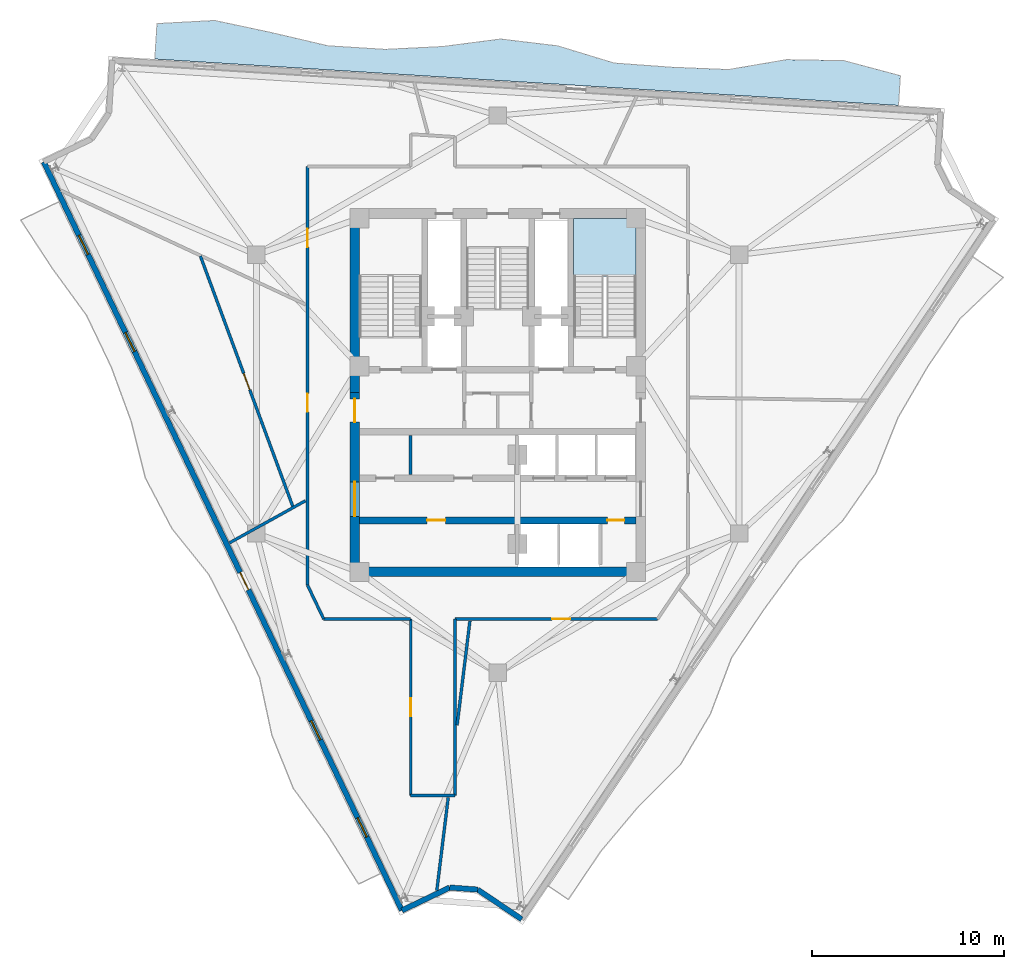
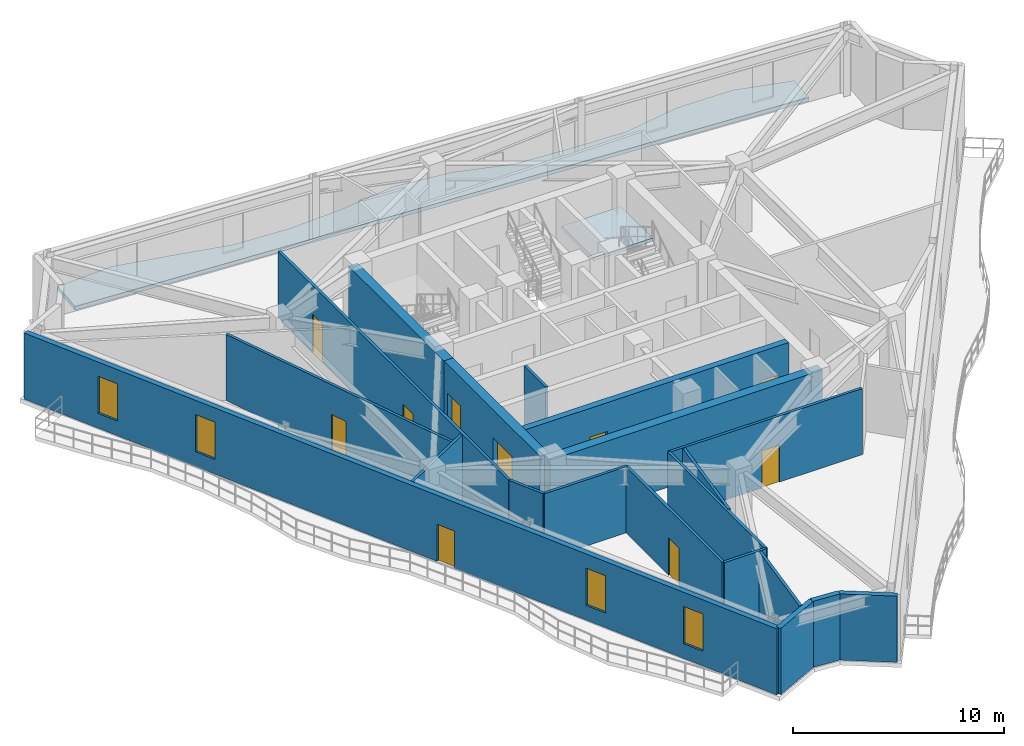
# One storey, part 5 of 11: 20 walls, 10 doors, 4 windows, 2 slabs, 14 openings, 1 element without a shape of its own.
"""IFC4 building model written with IfcOpenShell, lengths in metres."""

from ifc_helpers import new_model, si_unit, direction, frame, frame_2d, origin, place, context, subcontext, project, spatial, polyline, rectangle, outline, extrude, material, layer, layer_set, type_object, element, fill, aggregate, save


model = new_model("IFC4")

# Units and contexts
model_context = context("Model", 3, precision=1e-05, world=origin(), true_north=direction((0.0, 1.0)))
body_context = subcontext(model_context, "Body", "Model", "MODEL_VIEW")
ifc_project = project(units=[si_unit("LENGTHUNIT", "METRE"), si_unit("AREAUNIT", "SQUARE_METRE"), si_unit("VOLUMEUNIT", "CUBIC_METRE"), si_unit("PLANEANGLEUNIT", "RADIAN"), si_unit("MASSUNIT", "GRAM", prefix="KILO")], contexts=[model_context])

# Site, building, storey
site_placement = place(None, origin())
site = spatial("IfcSite", under=ifc_project, at=site_placement, CompositionType="ELEMENT")
building_placement = place(site_placement, origin())
building = spatial("IfcBuilding", under=site, at=building_placement, Name="Apsidion Concourse Tower", CompositionType="ELEMENT")
storey_placement = place(building_placement, frame((0.0, 0.0, 314.699951171875)))
storey = spatial("IfcBuildingStorey", under=building, at=storey_placement, Name="L74", CompositionType="ELEMENT", Elevation=314.699951171875)

# Slab
ifc_material_1 = material(Name="Concrete C50/60", Category="concrete")
ifc_layer_1 = layer(ifc_material_1, 0.219970703125)
ifc_layer_set_1 = layer_set([ifc_layer_1], Name="Concrete C50/60")
slab_type_1 = type_object("IfcSlabType", Name="SL-BAL-220", PredefinedType="FLOOR", material=ifc_layer_set_1)
slab_1_placement = place(storey_placement, frame((0.0, 0.0, -0.219970703125)))
element("IfcSlab", 1, at=slab_1_placement, inside=storey, type_object=slab_type_1, Name="L74 Face 3 Rippling Balcony Slab", PredefinedType="FLOOR", context=body_context, shape_type="SweptSolid", body=[
    extrude(outline(polyline([(20.8564453125, 15.025146484375), (17.879150390625, 15.2109375), (14.90185546875, 15.396484375), (11.924560546875, 15.582275390625), (8.947265625, 15.767822265625), (5.969970703125, 15.95361328125), (2.99267578125, 16.139404296875), (0.015380859375, 16.324951171875), (-2.9619140625, 16.510498046875), (-5.939208984375, 16.6962890625), (-8.91650390625, 16.882080078125), (-11.893798828125, 17.067626953125), (-14.87109375, 17.25341796875), (-17.848388671875, 17.43896484375), (-17.733154296875, 19.28515625), (-14.734375, 19.447021484375), (-11.78466796875, 18.818603515625), (-8.838623046875, 18.129638671875), (-5.861328125, 17.94384765625), (-2.86328125, 18.092041015625), (0.14990234375, 18.482177734375), (3.11669921875, 18.126220703125), (6.0498046875, 17.232421875), (9.025146484375, 17.015380859375), (12.00634765625, 16.89306640625), (15.02734375, 17.408203125), (18.012939453125, 17.355712890625), (20.952880859375, 16.572265625), (20.8564453125, 15.025146484375)])), origin(), (0.0, 0.0, 1.0), 0.219970703125),
])

# Stair, slab
ifc_material_2 = material(Name="Precast concrete C40/50", Category="concrete")
stair_type = type_object("IfcStairType", Name="ST-DL-1550", PredefinedType="HALF_TURN_STAIR", material=ifc_material_2)
stair_placement = place(storey_placement, origin())
stair = element("IfcStair", 2, at=stair_placement, inside=storey, type_object=stair_type, Name="L74 Protected Core Exit Stair ST2", PredefinedType="HALF_TURN_STAIR")
ifc_layer_2 = layer(ifc_material_1, 0.199951171875)
ifc_layer_set_2 = layer_set([ifc_layer_2], Name="Concrete C50/60")
slab_type_2 = type_object("IfcSlabType", Name="SL-ST-LAND-200", PredefinedType="LANDING", material=ifc_layer_set_2)
slab_2_placement = place(storey_placement, frame((0.0, 0.0, 1.85009765625)))
slab_2 = element("IfcSlab", 3, at=slab_2_placement, type_object=slab_type_2, Name="ST2 landing 1", PredefinedType="LANDING", context=body_context, shape_type="SweptSolid", body=[
    extrude(outline(polyline([(7.199951171875, 6.135009765625), (7.199951171875, 9.14990234375), (3.949951171875, 9.14990234375), (3.949951171875, 6.135009765625), (7.199951171875, 6.135009765625)])), origin(), (0.0, 0.0, 1.0), 0.199951171875),
])
aggregate(stair, [slab_2])

# Walls
ifc_layer_3 = layer(ifc_material_2, 0.280029296875)
ifc_layer_set_3 = layer_set([ifc_layer_3], Name="Precast concrete C40/50")
wall_type_1 = type_object("IfcWallType", Name="WL-EXT-280", PredefinedType="STANDARD", material=ifc_layer_set_3)
wall_1_placement = place(storey_placement, frame((1.2431640625, -27.323974609375, 0.0), z_axis=(0.0, 0.0, 1.0), x_axis=(-0.829015842911, 0.559225117643, 0.0)))
element("IfcWall", 4, at=wall_1_placement, inside=storey, type_object=wall_type_1, Name="L74 Precast Stone Facade Wall 06", PredefinedType="STANDARD", context=body_context, shape_type="SweptSolid", body=[
    extrude(rectangle(XDim=2.759033203125, YDim=0.280029296875, at=frame_2d((1.37939453125, 0.0))), origin(), (0.0, 0.0, 1.0), 3.820068359375),
])
wall_2_placement = place(storey_placement, frame((-1.044189453125, -25.781005859375, 0.0), z_axis=(0.0, 0.0, 1.0), x_axis=(-0.997286893261, 0.073612855735, 0.0)))
element("IfcWall", 5, at=wall_2_placement, inside=storey, type_object=wall_type_1, Name="L74 Precast Stone Facade Wall 07", PredefinedType="STANDARD", context=body_context, shape_type="SweptSolid", body=[
    extrude(rectangle(XDim=1.459228515625, YDim=0.280029296875, at=frame_2d((0.7294921875, 0.0))), origin(), (0.0, 0.0, 1.0), 3.820068359375),
])
wall_3_placement = place(storey_placement, frame((-2.49951171875, -25.673583984375, 0.0), z_axis=(0.0, 0.0, 1.0), x_axis=(-0.902044352952, -0.431643354296, 0.0)))
element("IfcWall", 6, at=wall_3_placement, inside=storey, type_object=wall_type_1, Name="L74 Precast Stone Facade Wall 08", PredefinedType="STANDARD", context=body_context, shape_type="SweptSolid", body=[
    extrude(rectangle(XDim=2.759033203125, YDim=0.280029296875, at=frame_2d((1.37939453125, 0.0))), origin(), (0.0, 0.0, 1.0), 3.820068359375),
])

# Wall, openings, door, windows
wall_4_placement = place(storey_placement, frame((-4.98828125, -26.864501953125, 0.0), z_axis=(0.0, 0.0, 1.0), x_axis=(-0.431592936847, 0.902068476815, 0.0)))
wall_4 = element("IfcWall", 7, at=wall_4_placement, inside=storey, type_object=wall_type_1, Name="L74 Precast Stone Facade Wall 09", PredefinedType="STANDARD", context=body_context, shape_type="SweptSolid", body=[
    extrude(rectangle(XDim=43.18017578125, YDim=0.280029296875, at=frame_2d((21.590087890625, 0.0))), origin(), (0.0, 0.0, 1.0), 3.820068359375),
])
opening_1_placement = place(wall_4_placement, frame((18.499267578125, 0.0, 0.0)))
opening_1 = element("IfcOpeningElement", 8, at=opening_1_placement, cuts=wall_4, Name="Opening D-T1L", PredefinedType="OPENING", context=body_context, shape_type="SweptSolid", body=[
    extrude(rectangle(XDim=1.0, YDim=2.14990234375, at=frame_2d((0.5, 1.074951171875))), frame((0.0, 0.14990234375, 0.0), z_axis=(0.0, -1.0, 0.0), x_axis=(1.0, 0.0, 0.0)), (0.0, 0.0, 1.0), 0.300048828125),
])
opening_2_placement = place(wall_4_placement, frame((4.239990234375, 0.0, 0.85009765625)))
opening_2 = element("IfcOpeningElement", 9, at=opening_2_placement, cuts=wall_4, Name="Opening WN-07", PredefinedType="OPENING", context=body_context, shape_type="SweptSolid", body=[
    extrude(rectangle(XDim=1.10009765625, YDim=2.14990234375, at=frame_2d((0.550048828125, 1.074951171875))), frame((0.0, 0.14990234375, 0.0), z_axis=(0.0, -1.0, 0.0), x_axis=(1.0, 0.0, 0.0)), (0.0, 0.0, 1.0), 0.300048828125),
])
opening_3_placement = place(wall_4_placement, frame((9.840087890625, 0.0, 0.85009765625)))
opening_3 = element("IfcOpeningElement", 10, at=opening_3_placement, cuts=wall_4, Name="Opening WN-07", PredefinedType="OPENING", context=body_context, shape_type="SweptSolid", body=[
    extrude(rectangle(XDim=1.10009765625, YDim=2.14990234375, at=frame_2d((0.550048828125, 1.074951171875))), frame((0.0, 0.14990234375, 0.0), z_axis=(0.0, -1.0, 0.0), x_axis=(1.0, 0.0, 0.0)), (0.0, 0.0, 1.0), 0.300048828125),
])
opening_4_placement = place(wall_4_placement, frame((32.239990234375, 0.0, 0.85009765625)))
opening_4 = element("IfcOpeningElement", 11, at=opening_4_placement, cuts=wall_4, Name="Opening WN-07", PredefinedType="OPENING", context=body_context, shape_type="SweptSolid", body=[
    extrude(rectangle(XDim=1.10009765625, YDim=2.14990234375, at=frame_2d((0.550048828125, 1.074951171875))), frame((0.0, 0.14990234375, 0.0), z_axis=(0.0, -1.0, 0.0), x_axis=(1.0, 0.0, 0.0)), (0.0, 0.0, 1.0), 0.300048828125),
])
opening_5_placement = place(wall_4_placement, frame((37.840087890625, 0.0, 0.85009765625)))
opening_5 = element("IfcOpeningElement", 12, at=opening_5_placement, cuts=wall_4, Name="Opening WN-07", PredefinedType="OPENING", context=body_context, shape_type="SweptSolid", body=[
    extrude(rectangle(XDim=1.10009765625, YDim=2.14990234375, at=frame_2d((0.550048828125, 1.074951171875))), frame((0.0, 0.14990234375, 0.0), z_axis=(0.0, -1.0, 0.0), x_axis=(1.0, 0.0, 0.0)), (0.0, 0.0, 1.0), 0.300048828125),
])
ifc_material_3 = material(Name="Anodised aluminium EN AW-6063 T6", Category="aluminium")
door_type_1 = type_object("IfcDoorType", Name="DR-TER-1022L", OperationType="SINGLE_SWING_LEFT", PredefinedType="DOOR", material=ifc_material_3)
door_1_placement = place(opening_1_placement, origin())
door_1 = element("IfcDoor", 13, at=door_1_placement, inside=storey, type_object=door_type_1, Name="L74 Balcony Access Door 1", OperationType="SINGLE_SWING_LEFT", OverallHeight=2.14990234375, OverallWidth=1.0, PredefinedType="DOOR", context=body_context, shape_type="SweptSolid", body=[
    extrude(rectangle(XDim=1.0, YDim=2.14990234375, at=frame_2d((0.5, 1.074951171875))), frame((0.0, 0.02490234375, 0.0), z_axis=(0.0, -1.0, 0.0), x_axis=(1.0, 0.0, 0.0)), (0.0, 0.0, 1.0), 0.050048828125),
])
fill(opening_1, door_1)
ifc_material_4 = material(Name="Insulated laminated low-E glass", Category="glass")
window_type = type_object("IfcWindowType", Name="WN-OFF-1123", PartitioningType="SINGLE_PANEL", PredefinedType="WINDOW", material=ifc_material_4)
window_1_placement = place(opening_2_placement, origin())
window_1 = element("IfcWindow", 14, at=window_1_placement, inside=storey, type_object=window_type, Name="L74 Punched Facade Window 9-01", OverallHeight=2.14990234375, OverallWidth=1.10009765625, PartitioningType="SINGLE_PANEL", PredefinedType="WINDOW", context=body_context, shape_type="SweptSolid", body=[
    extrude(rectangle(XDim=1.10009765625, YDim=2.14990234375, at=frame_2d((0.550048828125, 1.074951171875))), frame((0.0, 0.030029296875, 0.0), z_axis=(0.0, -1.0, 0.0), x_axis=(1.0, 0.0, 0.0)), (0.0, 0.0, 1.0), 0.06005859375),
])
fill(opening_2, window_1)
window_2_placement = place(opening_3_placement, origin())
window_2 = element("IfcWindow", 15, at=window_2_placement, inside=storey, type_object=window_type, Name="L74 Punched Facade Window 9-02", OverallHeight=2.14990234375, OverallWidth=1.10009765625, PartitioningType="SINGLE_PANEL", PredefinedType="WINDOW", context=body_context, shape_type="SweptSolid", body=[
    extrude(rectangle(XDim=1.10009765625, YDim=2.14990234375, at=frame_2d((0.550048828125, 1.074951171875))), frame((0.0, 0.030029296875, 0.0), z_axis=(0.0, -1.0, 0.0), x_axis=(1.0, 0.0, 0.0)), (0.0, 0.0, 1.0), 0.06005859375),
])
fill(opening_3, window_2)
window_3_placement = place(opening_4_placement, origin())
window_3 = element("IfcWindow", 16, at=window_3_placement, inside=storey, type_object=window_type, Name="L74 Punched Facade Window 9-06", OverallHeight=2.14990234375, OverallWidth=1.10009765625, PartitioningType="SINGLE_PANEL", PredefinedType="WINDOW", context=body_context, shape_type="SweptSolid", body=[
    extrude(rectangle(XDim=1.10009765625, YDim=2.14990234375, at=frame_2d((0.550048828125, 1.074951171875))), frame((0.0, 0.030029296875, 0.0), z_axis=(0.0, -1.0, 0.0), x_axis=(1.0, 0.0, 0.0)), (0.0, 0.0, 1.0), 0.06005859375),
])
fill(opening_4, window_3)
window_4_placement = place(opening_5_placement, origin())
window_4 = element("IfcWindow", 17, at=window_4_placement, inside=storey, type_object=window_type, Name="L74 Punched Facade Window 9-07", OverallHeight=2.14990234375, OverallWidth=1.10009765625, PartitioningType="SINGLE_PANEL", PredefinedType="WINDOW", context=body_context, shape_type="SweptSolid", body=[
    extrude(rectangle(XDim=1.10009765625, YDim=2.14990234375, at=frame_2d((0.550048828125, 1.074951171875))), frame((0.0, 0.030029296875, 0.0), z_axis=(0.0, -1.0, 0.0), x_axis=(1.0, 0.0, 0.0)), (0.0, 0.0, 1.0), 0.06005859375),
])
fill(opening_5, window_4)

# Walls
ifc_material_5 = material(Name="Gypsum plasterboard partition")
ifc_layer_4 = layer(ifc_material_5, 0.14990234375)
ifc_layer_set_4 = layer_set([ifc_layer_4], Name="Gypsum plasterboard partition")
wall_type_2 = type_object("IfcWallType", Name="WL-INT-PAR-150", PredefinedType="PARTITIONING", material=ifc_layer_set_4)
wall_5_placement = place(storey_placement, frame((-4.550048828125, -4.179931640625, 0.0), z_axis=(0.0, 0.0, 1.0), x_axis=(0.0, 1.0, 0.0)))
element("IfcWall", 18, at=wall_5_placement, inside=storey, type_object=wall_type_2, Name="L74 Interior Partition WL-L74-B1RV1", PredefinedType="PARTITIONING", context=body_context, shape_type="SweptSolid", body=[
    extrude(rectangle(XDim=2.030029296875, YDim=0.14990234375, at=frame_2d((1.01513671875, 0.0))), origin(), (0.0, 0.0, 1.0), 3.820068359375),
])
wall_6_placement = place(storey_placement, frame((-4.530029296875, -11.699951171875, 0.0), z_axis=(0.0, 0.0, 1.0), x_axis=(-1.0, 0.0, 0.0)))
element("IfcWall", 19, at=wall_6_placement, inside=storey, type_object=wall_type_2, Name="L74 Interior Partition WL-L74-CORR-01", PredefinedType="PARTITIONING", context=body_context, shape_type="SweptSolid", body=[
    extrude(rectangle(XDim=4.5263671875, YDim=0.14990234375, at=frame_2d((2.26318359375, 0.0))), origin(), (0.0, 0.0, 1.0), 3.820068359375),
])
wall_7_placement = place(storey_placement, frame((-9.056396484375, -11.699951171875, 0.0), z_axis=(0.0, 0.0, 1.0), x_axis=(-0.431605782187, 0.902062330875, 0.0)))
element("IfcWall", 20, at=wall_7_placement, inside=storey, type_object=wall_type_2, Name="L74 Interior Partition WL-L74-CORR-02", PredefinedType="PARTITIONING", context=body_context, shape_type="SweptSolid", body=[
    extrude(rectangle(XDim=1.954345703125, YDim=0.14990234375, at=frame_2d((0.97705078125, 0.0))), origin(), (0.0, 0.0, 1.0), 3.820068359375),
])

# Wall, openings, doors
wall_8_placement = place(storey_placement, frame((-9.89990234375, -9.93701171875, 0.0), z_axis=(0.0, 0.0, 1.0), x_axis=(0.0, 1.0, 0.0)))
wall_8 = element("IfcWall", 21, at=wall_8_placement, inside=storey, type_object=wall_type_2, Name="L74 Interior Partition WL-L74-CORR-03", PredefinedType="PARTITIONING", context=body_context, shape_type="SweptSolid", body=[
    extrude(rectangle(XDim=21.787109375, YDim=0.14990234375, at=frame_2d((10.8935546875, 0.0))), origin(), (0.0, 0.0, 1.0), 3.820068359375),
])
opening_6_placement = place(wall_8_placement, frame((17.5908203125, 0.0, 0.0)))
opening_6 = element("IfcOpeningElement", 22, at=opening_6_placement, cuts=wall_8, Name="Opening D-01R", PredefinedType="OPENING", context=body_context, shape_type="SweptSolid", body=[
    extrude(rectangle(XDim=0.949951171875, YDim=2.14990234375, at=frame_2d((0.47509765625, 1.074951171875))), frame((0.0, 0.0849609375, 0.0), z_axis=(0.0, -1.0, 0.0), x_axis=(1.0, 0.0, 0.0)), (0.0, 0.0, 1.0), 0.169921875),
])
opening_7_placement = place(wall_8_placement, frame((9.02197265625, 0.0, 0.0)))
opening_7 = element("IfcOpeningElement", 23, at=opening_7_placement, cuts=wall_8, Name="Opening D-01L", PredefinedType="OPENING", context=body_context, shape_type="SweptSolid", body=[
    extrude(rectangle(XDim=0.949951171875, YDim=2.14990234375, at=frame_2d((0.47509765625, 1.074951171875))), frame((0.0, 0.0849609375, 0.0), z_axis=(0.0, -1.0, 0.0), x_axis=(1.0, 0.0, 0.0)), (0.0, 0.0, 1.0), 0.169921875),
])
ifc_material_6 = material(Name="Brushed stainless steel 316", Category="steel")
door_type_2 = type_object("IfcDoorType", Name="DR-INT-D01L", OperationType="SINGLE_SWING_LEFT", PredefinedType="DOOR", material=ifc_material_6)
door_2_placement = place(opening_7_placement, origin())
door_2 = element("IfcDoor", 24, at=door_2_placement, inside=storey, type_object=door_type_2, Name="L74 Corridor Entry Door 07", OperationType="SINGLE_SWING_LEFT", OverallHeight=2.14990234375, OverallWidth=0.949951171875, PredefinedType="DOOR", context=body_context, shape_type="SweptSolid", body=[
    extrude(rectangle(XDim=0.949951171875, YDim=2.14990234375, at=frame_2d((0.47509765625, 1.074951171875))), frame((0.0, 0.02490234375, 0.0), z_axis=(0.0, -1.0, 0.0), x_axis=(1.0, 0.0, 0.0)), (0.0, 0.0, 1.0), 0.050048828125),
])
fill(opening_7, door_2)
door_type_3 = type_object("IfcDoorType", Name="DR-INT-D01R", OperationType="SINGLE_SWING_RIGHT", PredefinedType="DOOR", material=ifc_material_6)
door_3_placement = place(opening_6_placement, origin())
door_3 = element("IfcDoor", 25, at=door_3_placement, inside=storey, type_object=door_type_3, Name="L74 Corridor Entry Door 06", OperationType="SINGLE_SWING_RIGHT", OverallHeight=2.14990234375, OverallWidth=0.949951171875, PredefinedType="DOOR", context=body_context, shape_type="SweptSolid", body=[
    extrude(rectangle(XDim=0.949951171875, YDim=2.14990234375, at=frame_2d((0.47509765625, 1.074951171875))), frame((0.0, 0.02490234375, 0.0), z_axis=(0.0, -1.0, 0.0), x_axis=(1.0, 0.0, 0.0)), (0.0, 0.0, 1.0), 0.050048828125),
])
fill(opening_6, door_3)

# Wall, opening, door
wall_9_placement = place(storey_placement, frame((8.313720703125, -11.699951171875, 0.0), z_axis=(0.0, 0.0, 1.0), x_axis=(-1.0, 0.0, 0.0)))
wall_9 = element("IfcWall", 26, at=wall_9_placement, inside=storey, type_object=wall_type_2, Name="L74 Interior Partition WL-L74-CORR-11", PredefinedType="PARTITIONING", context=body_context, shape_type="SweptSolid", body=[
    extrude(rectangle(XDim=10.53369140625, YDim=0.14990234375, at=frame_2d((5.266845703125, 0.0))), origin(), (0.0, 0.0, 1.0), 3.820068359375),
])
opening_8_placement = place(wall_9_placement, frame((4.53271484375, 0.0, 0.0)))
opening_8 = element("IfcOpeningElement", 27, at=opening_8_placement, cuts=wall_9, Name="Opening D-01R", PredefinedType="OPENING", context=body_context, shape_type="SweptSolid", body=[
    extrude(rectangle(XDim=0.949951171875, YDim=2.14990234375, at=frame_2d((0.47509765625, 1.074951171875))), frame((0.0, 0.0849609375, 0.0), z_axis=(0.0, -1.0, 0.0), x_axis=(1.0, 0.0, 0.0)), (0.0, 0.0, 1.0), 0.169921875),
])
door_4_placement = place(opening_8_placement, origin())
door_4 = element("IfcDoor", 28, at=door_4_placement, inside=storey, type_object=door_type_3, Name="L74 Corridor Entry Door 02", OperationType="SINGLE_SWING_RIGHT", OverallHeight=2.14990234375, OverallWidth=0.949951171875, PredefinedType="DOOR", context=body_context, shape_type="SweptSolid", body=[
    extrude(rectangle(XDim=0.949951171875, YDim=2.14990234375, at=frame_2d((0.47509765625, 1.074951171875))), frame((0.0, 0.02490234375, 0.0), z_axis=(0.0, -1.0, 0.0), x_axis=(1.0, 0.0, 0.0)), (0.0, 0.0, 1.0), 0.050048828125),
])
fill(opening_8, door_4)

# Walls
wall_10_placement = place(storey_placement, frame((-2.219970703125, -11.699951171875, 0.0), z_axis=(0.0, 0.0, 1.0), x_axis=(0.0, -1.0, 0.0)))
element("IfcWall", 29, at=wall_10_placement, inside=storey, type_object=wall_type_2, Name="L74 Interior Partition WL-L74-CORR-12", PredefinedType="PARTITIONING", context=body_context, shape_type="SweptSolid", body=[
    extrude(rectangle(XDim=9.179931640625, YDim=0.14990234375, at=frame_2d((4.58984375, 0.0))), origin(), (0.0, 0.0, 1.0), 3.820068359375),
])
wall_11_placement = place(storey_placement, frame((-2.219970703125, -20.8798828125, 0.0), z_axis=(0.0, 0.0, 1.0), x_axis=(-1.0, 0.0, 0.0)))
element("IfcWall", 30, at=wall_11_placement, inside=storey, type_object=wall_type_2, Name="L74 Interior Partition WL-L74-CORR-13", PredefinedType="PARTITIONING", context=body_context, shape_type="SweptSolid", body=[
    extrude(rectangle(XDim=2.31005859375, YDim=0.14990234375, at=frame_2d((1.155029296875, 0.0))), origin(), (0.0, 0.0, 1.0), 3.820068359375),
])

# Wall, opening, door
wall_12_placement = place(storey_placement, frame((-4.530029296875, -20.8798828125, 0.0), z_axis=(0.0, 0.0, 1.0), x_axis=(0.0, 1.0, 0.0)))
wall_12 = element("IfcWall", 31, at=wall_12_placement, inside=storey, type_object=wall_type_2, Name="L74 Interior Partition WL-L74-CORR-14", PredefinedType="PARTITIONING", context=body_context, shape_type="SweptSolid", body=[
    extrude(rectangle(XDim=9.179931640625, YDim=0.14990234375, at=frame_2d((4.58984375, 0.0))), origin(), (0.0, 0.0, 1.0), 3.820068359375),
])
opening_9_placement = place(wall_12_placement, frame((4.114990234375, 0.0, 0.0)))
opening_9 = element("IfcOpeningElement", 32, at=opening_9_placement, cuts=wall_12, Name="Opening D-01L", PredefinedType="OPENING", context=body_context, shape_type="SweptSolid", body=[
    extrude(rectangle(XDim=0.949951171875, YDim=2.14990234375, at=frame_2d((0.47509765625, 1.074951171875))), frame((0.0, 0.0849609375, 0.0), z_axis=(0.0, -1.0, 0.0), x_axis=(1.0, 0.0, 0.0)), (0.0, 0.0, 1.0), 0.169921875),
])
door_5_placement = place(opening_9_placement, origin())
door_5 = element("IfcDoor", 33, at=door_5_placement, inside=storey, type_object=door_type_2, Name="L74 Corridor Entry Door 01", OperationType="SINGLE_SWING_LEFT", OverallHeight=2.14990234375, OverallWidth=0.949951171875, PredefinedType="DOOR", context=body_context, shape_type="SweptSolid", body=[
    extrude(rectangle(XDim=0.949951171875, YDim=2.14990234375, at=frame_2d((0.47509765625, 1.074951171875))), frame((0.0, 0.02490234375, 0.0), z_axis=(0.0, -1.0, 0.0), x_axis=(1.0, 0.0, 0.0)), (0.0, 0.0, 1.0), 0.050048828125),
])
fill(opening_9, door_5)

# Walls
wall_13_placement = place(storey_placement, frame((-10.0048828125, -5.5458984375, 0.0), z_axis=(0.0, 0.0, 1.0), x_axis=(-0.874622222754, -0.48480508193, 0.0)))
element("IfcWall", 34, at=wall_13_placement, inside=storey, type_object=wall_type_2, Name="L74 Interior Partition WL-L74-RAD-04-1", PredefinedType="PARTITIONING", context=body_context, shape_type="SweptSolid", body=[
    extrude(rectangle(XDim=4.52880859375, YDim=0.14990234375, at=frame_2d((2.264404296875, 0.0))), origin(), (0.0, 0.0, 1.0), 3.820068359375),
])
wall_14_placement = place(storey_placement, frame((-1.449462890625, -11.804931640625, 0.0), z_axis=(0.0, 0.0, 1.0), x_axis=(-0.121866576679, -0.992546491349, 0.0)))
element("IfcWall", 35, at=wall_14_placement, inside=storey, type_object=wall_type_2, Name="L74 Interior Partition WL-L74-RAD-05-1", PredefinedType="PARTITIONING", context=body_context, shape_type="SweptSolid", body=[
    extrude(rectangle(XDim=5.461181640625, YDim=0.14990234375, at=frame_2d((2.73046875, 0.0))), origin(), (0.0, 0.0, 1.0), 3.820068359375),
])
wall_15_placement = place(storey_placement, frame((-2.57666015625, -20.985107421875, 0.0), z_axis=(0.0, 0.0, 1.0), x_axis=(-0.12186446529, -0.992546750586, 0.0)))
element("IfcWall", 36, at=wall_15_placement, inside=storey, type_object=wall_type_2, Name="L74 Interior Partition WL-L74-RAD-05-2", PredefinedType="PARTITIONING", context=body_context, shape_type="SweptSolid", body=[
    extrude(rectangle(XDim=4.874267578125, YDim=0.14990234375, at=frame_2d((2.43701171875, 0.0))), origin(), (0.0, 0.0, 1.0), 3.820068359375),
])

# Wall, opening, door
wall_16_placement = place(storey_placement, frame((-15.47314453125, 7.187744140625, 0.0), z_axis=(0.0, 0.0, 1.0), x_axis=(0.346159492737, -0.938175679491, 0.0)))
wall_16 = element("IfcWall", 37, at=wall_16_placement, inside=storey, type_object=wall_type_2, Name="L74 Interior Partition WL-L74-CHD-OFS06", PredefinedType="PARTITIONING", context=body_context, shape_type="SweptSolid", body=[
    extrude(rectangle(XDim=13.925048828125, YDim=0.14990234375, at=frame_2d((6.96240234375, 0.0))), origin(), (0.0, 0.0, 1.0), 3.820068359375),
])
opening_10_placement = place(wall_16_placement, frame((6.512451171875, 0.0, 0.0)))
opening_10 = element("IfcOpeningElement", 38, at=opening_10_placement, cuts=wall_16, Name="Opening D-02L", PredefinedType="OPENING", context=body_context, shape_type="SweptSolid", body=[
    extrude(rectangle(XDim=0.89990234375, YDim=2.10009765625, at=frame_2d((0.449951171875, 1.050048828125))), frame((0.0, 0.0849609375, 0.0), z_axis=(0.0, -1.0, 0.0), x_axis=(1.0, 0.0, 0.0)), (0.0, 0.0, 1.0), 0.169921875),
])
door_type_4 = type_object("IfcDoorType", Name="DR-INT-D02L", OperationType="SINGLE_SWING_LEFT", PredefinedType="DOOR", material=ifc_material_3)
door_6_placement = place(opening_10_placement, origin())
door_6 = element("IfcDoor", 39, at=door_6_placement, inside=storey, type_object=door_type_4, Name="L74 Suite Connecting Door OFS06", OperationType="SINGLE_SWING_LEFT", OverallHeight=2.10009765625, OverallWidth=0.89990234375, PredefinedType="DOOR", context=body_context, shape_type="SweptSolid", body=[
    extrude(rectangle(XDim=0.89990234375, YDim=2.10009765625, at=frame_2d((0.449951171875, 1.050048828125))), frame((0.0, 0.02490234375, 0.0), z_axis=(0.0, -1.0, 0.0), x_axis=(1.0, 0.0, 0.0)), (0.0, 0.0, 1.0), 0.050048828125),
])
fill(opening_10, door_6)

# Wall, openings, doors
ifc_layer_5 = layer(ifc_material_1, 0.35009765625)
ifc_layer_set_5 = layer_set([ifc_layer_5], Name="Concrete C50/60")
wall_type_3 = type_object("IfcWallType", Name="WL-SH-350", PredefinedType="SHEAR", material=ifc_layer_set_5)
wall_17_placement = place(storey_placement, frame((-7.199951171875, -6.570068359375, 0.0), z_axis=(0.0, 0.0, 1.0), x_axis=(1.0, 0.0, 0.0)))
wall_17 = element("IfcWall", 40, at=wall_17_placement, inside=storey, type_object=wall_type_3, Name="L74 Central Core Shear Wall LB", PredefinedType="SHEAR", context=body_context, shape_type="SweptSolid", body=[
    extrude(rectangle(XDim=14.39990234375, YDim=0.35009765625, at=frame_2d((7.199951171875, 0.0))), origin(), (0.0, 0.0, 1.0), 3.820068359375),
])
opening_11_placement = place(wall_17_placement, frame((3.52490234375, 0.0, 0.0)))
opening_11 = element("IfcOpeningElement", 41, at=opening_11_placement, cuts=wall_17, Name="Opening D-04L", PredefinedType="OPENING", context=body_context, shape_type="SweptSolid", body=[
    extrude(rectangle(XDim=0.949951171875, YDim=2.14990234375, at=frame_2d((0.47509765625, 1.074951171875))), frame((0.0, 0.18505859375, 0.0), z_axis=(0.0, -1.0, 0.0), x_axis=(1.0, 0.0, 0.0)), (0.0, 0.0, 1.0), 0.3701171875),
])
opening_12_placement = place(wall_17_placement, frame((12.909912109375, 0.0, 0.0)))
opening_12 = element("IfcOpeningElement", 42, at=opening_12_placement, cuts=wall_17, Name="Opening D-05L", PredefinedType="OPENING", context=body_context, shape_type="SweptSolid", body=[
    extrude(rectangle(XDim=0.8798828125, YDim=2.14990234375, at=frame_2d((0.43994140625, 1.074951171875))), frame((0.0, 0.18505859375, 0.0), z_axis=(0.0, -1.0, 0.0), x_axis=(1.0, 0.0, 0.0)), (0.0, 0.0, 1.0), 0.3701171875),
])
door_type_5 = type_object("IfcDoorType", Name="DR-INT-D04L", OperationType="SINGLE_SWING_LEFT", PredefinedType="DOOR", material=ifc_material_6)
door_7_placement = place(opening_11_placement, origin())
door_7 = element("IfcDoor", 43, at=door_7_placement, inside=storey, type_object=door_type_5, Name="L74 Executive Archive and Mail Room Door", OperationType="SINGLE_SWING_LEFT", OverallHeight=2.14990234375, OverallWidth=0.949951171875, PredefinedType="DOOR", context=body_context, shape_type="SweptSolid", body=[
    extrude(rectangle(XDim=0.949951171875, YDim=2.14990234375, at=frame_2d((0.47509765625, 1.074951171875))), frame((0.0, 0.02490234375, 0.0), z_axis=(0.0, -1.0, 0.0), x_axis=(1.0, 0.0, 0.0)), (0.0, 0.0, 1.0), 0.050048828125),
])
fill(opening_11, door_7)
door_type_6 = type_object("IfcDoorType", Name="DR-INT-D05L", OperationType="SINGLE_SWING_LEFT", PredefinedType="DOOR", material=ifc_material_6)
door_8_placement = place(opening_12_placement, origin())
door_8 = element("IfcDoor", 44, at=door_8_placement, inside=storey, type_object=door_type_6, Name="L74 Cleaners Store Door", OperationType="SINGLE_SWING_LEFT", OverallHeight=2.14990234375, OverallWidth=0.8798828125, PredefinedType="DOOR", context=body_context, shape_type="SweptSolid", body=[
    extrude(rectangle(XDim=0.8798828125, YDim=2.14990234375, at=frame_2d((0.43994140625, 1.074951171875))), frame((0.0, 0.02490234375, 0.0), z_axis=(0.0, -1.0, 0.0), x_axis=(1.0, 0.0, 0.0)), (0.0, 0.0, 1.0), 0.050048828125),
])
fill(opening_12, door_8)

# Wall
ifc_layer_6 = layer(ifc_material_1, 0.5)
ifc_layer_set_6 = layer_set([ifc_layer_6], Name="Concrete C50/60")
wall_type_4 = type_object("IfcWallType", Name="WL-SH-500", PredefinedType="SHEAR", material=ifc_layer_set_6)
wall_18_placement = place(storey_placement, frame((-7.449951171875, 0.10009765625, 0.0), z_axis=(0.0, 0.0, 1.0), x_axis=(0.0, 1.0, 0.0)))
element("IfcWall", 45, at=wall_18_placement, inside=storey, type_object=wall_type_4, Name="L74 Central Core Shear Wall WN", PredefinedType="SHEAR", context=body_context, shape_type="SweptSolid", body=[
    extrude(rectangle(XDim=9.0498046875, YDim=0.5, at=frame_2d((4.52490234375, 0.0))), origin(), (0.0, 0.0, 1.0), 3.820068359375),
])

# Wall, openings, doors
wall_19_placement = place(storey_placement, frame((-7.449951171875, -9.0, 0.0), z_axis=(0.0, 0.0, 1.0), x_axis=(0.0, 1.0, 0.0)))
wall_19 = element("IfcWall", 46, at=wall_19_placement, inside=storey, type_object=wall_type_4, Name="L74 Central Core Shear Wall WS", PredefinedType="SHEAR", context=body_context, shape_type="SweptSolid", body=[
    extrude(rectangle(XDim=9.10009765625, YDim=0.5, at=frame_2d((4.550048828125, 0.0))), origin(), (0.0, 0.0, 1.0), 3.820068359375),
])
opening_13_placement = place(wall_19_placement, frame((2.639892578125, 0.0, 0.0)))
opening_13 = element("IfcOpeningElement", 47, at=opening_13_placement, cuts=wall_19, Name="Opening D-06D", PredefinedType="OPENING", context=body_context, shape_type="SweptSolid", body=[
    extrude(rectangle(XDim=1.800048828125, YDim=2.199951171875, at=frame_2d((0.89990234375, 1.10009765625))), frame((0.0, 0.260009765625, 0.0), z_axis=(0.0, -1.0, 0.0), x_axis=(1.0, 0.0, 0.0)), (0.0, 0.0, 1.0), 0.52001953125),
])
opening_14_placement = place(wall_19_placement, frame((7.550048828125, 0.0, 0.0)))
opening_14 = element("IfcOpeningElement", 48, at=opening_14_placement, cuts=wall_19, Name="Opening D-FFL", PredefinedType="OPENING", context=body_context, shape_type="SweptSolid", body=[
    extrude(rectangle(XDim=1.199951171875, YDim=2.14990234375, at=frame_2d((0.60009765625, 1.074951171875))), frame((0.0, 0.260009765625, 0.0), z_axis=(0.0, -1.0, 0.0), x_axis=(1.0, 0.0, 0.0)), (0.0, 0.0, 1.0), 0.52001953125),
])
door_type_7 = type_object("IfcDoorType", Name="DR-INT-D06D", OperationType="DOUBLE_DOOR_SINGLE_SWING", PredefinedType="DOOR", material=ifc_material_6)
door_9_placement = place(opening_13_placement, origin())
door_9 = element("IfcDoor", 49, at=door_9_placement, inside=storey, type_object=door_type_7, Name="L74 Passenger Lift Lobby WS Portal Door", OperationType="DOUBLE_DOOR_SINGLE_SWING", OverallHeight=2.199951171875, OverallWidth=1.800048828125, PredefinedType="DOOR", context=body_context, shape_type="SweptSolid", body=[
    extrude(rectangle(XDim=1.800048828125, YDim=2.199951171875, at=frame_2d((0.89990234375, 1.10009765625))), frame((0.0, 0.02490234375, 0.0), z_axis=(0.0, -1.0, 0.0), x_axis=(1.0, 0.0, 0.0)), (0.0, 0.0, 1.0), 0.050048828125),
])
fill(opening_13, door_9)
door_type_8 = type_object("IfcDoorType", Name="DR-INT-FFL", OperationType="SINGLE_SWING_LEFT", PredefinedType="DOOR", material=ifc_material_6)
door_10_placement = place(opening_14_placement, origin())
door_10 = element("IfcDoor", 50, at=door_10_placement, inside=storey, type_object=door_type_8, Name="L74 Firefighting Lift Lobby FF1 Door", OperationType="SINGLE_SWING_LEFT", OverallHeight=2.14990234375, OverallWidth=1.199951171875, PredefinedType="DOOR", context=body_context, shape_type="SweptSolid", body=[
    extrude(rectangle(XDim=1.199951171875, YDim=2.14990234375, at=frame_2d((0.60009765625, 1.074951171875))), frame((0.0, 0.02490234375, 0.0), z_axis=(0.0, -1.0, 0.0), x_axis=(1.0, 0.0, 0.0)), (0.0, 0.0, 1.0), 0.050048828125),
])
fill(opening_14, door_10)

# Wall
wall_20_placement = place(storey_placement, frame((-7.449951171875, -9.25, 0.0), z_axis=(0.0, 0.0, 1.0), x_axis=(1.0, 0.0, 0.0)))
element("IfcWall", 51, at=wall_20_placement, inside=storey, type_object=wall_type_4, Name="L74 Central Core Shear Wall S", PredefinedType="SHEAR", context=body_context, shape_type="SweptSolid", body=[
    extrude(rectangle(XDim=14.89990234375, YDim=0.5, at=frame_2d((7.449951171875, 0.0))), origin(), (0.0, 0.0, 1.0), 3.820068359375),
])

save(model, "model.ifc")
